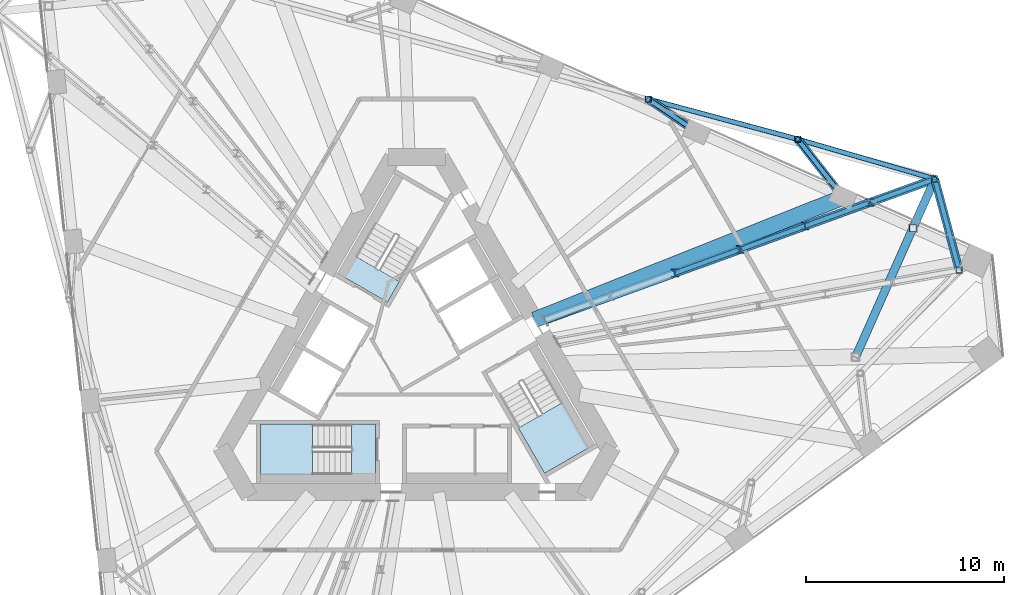
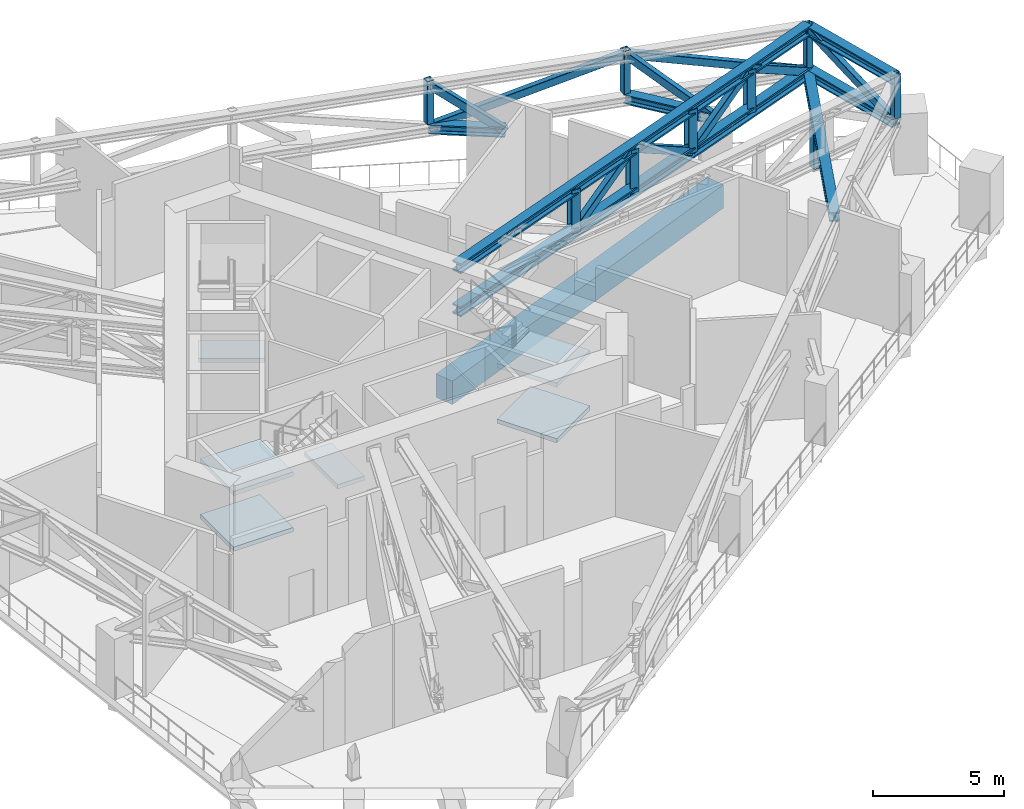
# One storey, part 15 of 26: 25 members, 6 slabs, 1 beam, 3 elements without a shape of their own.
"""IFC4 building model written with IfcOpenShell, lengths in metres."""

from ifc_helpers import new_model, si_unit, direction, frame, origin, origin_2d, place, context, subcontext, project, spatial, polyline, rectangle, hollow_rectangle, i_section, outline, extrude, material, layer, layer_set, material_profile, profile_set, type_object, element, aggregate, save


model = new_model("IFC4")

# Units and contexts
model_context = context("Model", 3, precision=1e-05, world=origin(), true_north=direction((0.0, 1.0)))
body_context = subcontext(model_context, "Body", "Model", "MODEL_VIEW")
ifc_project = project(units=[si_unit("LENGTHUNIT", "METRE"), si_unit("AREAUNIT", "SQUARE_METRE"), si_unit("VOLUMEUNIT", "CUBIC_METRE"), si_unit("PLANEANGLEUNIT", "RADIAN"), si_unit("MASSUNIT", "GRAM", prefix="KILO")], contexts=[model_context])

# Site, building, storey
site_placement = place(None, origin())
site = spatial("IfcSite", under=ifc_project, at=site_placement, CompositionType="ELEMENT")
building_placement = place(site_placement, origin())
building = spatial("IfcBuilding", under=site, at=building_placement, Name="Tramontana Tower", CompositionType="ELEMENT")
storey_placement = place(building_placement, frame((0.0, 0.0, 194.800048828125)))
storey = spatial("IfcBuildingStorey", under=building, at=storey_placement, Name="L45", CompositionType="ELEMENT", Elevation=194.800048828125)

# Members
ifc_material_1 = material(Name="Steel ASTM A500 Grade C", Category="steel")
ifc_material_profile_1 = material_profile(ifc_material_1, hollow_rectangle(XDim=0.3046875, YDim=0.3046875, WallThickness=0.01171875, InnerFilletRadius=0.01171875, OuterFilletRadius=0.023681640625, at=origin_2d()), Name="HSS12X12X1/2")
ifc_profile_set_1 = profile_set([ifc_material_profile_1], Name="Steel ASTM A500 Grade C")
member_type_1 = type_object("IfcMemberType", Name="Belt truss HSS12X12X1/2 post", PredefinedType="POST", material=ifc_profile_set_1)
for number, where, z_axis, x_axis, name in (
    (1, (27.352783203125, 4.86669921875, 2.8349609375), (0.0, 0.0, 1.0), (1.0, 0.0, 0.0), "Belt truss post C5K4"),
    (2, (26.12158203125, 9.461669921875, 2.8349609375), (0.0, 0.0, 1.0), (1.0, 0.0, 0.0), "Belt truss post C5K5"),
    (3, (19.211181640625, 11.468505859375, 2.8349609375), (0.0, 0.0, 1.0), (1.0, 0.0, 0.0), "Belt truss post C5F11"),
    (4, (11.6826171875, 13.48583984375, 2.8349609375), (0.0, 0.0, 1.0), (1.0, 0.0, 0.0), "Belt truss post C5F12"),
):
    element("IfcMember", number, at=place(storey_placement, frame(where, z_axis=z_axis, x_axis=x_axis)), inside=storey, type_object=member_type_1, Name=name, PredefinedType="POST", context=body_context, shape_type="SweptSolid", body=[
        extrude(hollow_rectangle(XDim=0.3046875, YDim=0.3046875, WallThickness=0.01171875, InnerFilletRadius=0.01171875, OuterFilletRadius=0.023681640625, at=origin_2d()), origin(), (0.0, 0.0, 1.0), 2.014892578125),
    ])
ifc_material_2 = material(Name="Steel ASTM A500 Grade C", Category="steel")
ifc_material_profile_2 = material_profile(ifc_material_2, hollow_rectangle(XDim=0.25390625, YDim=0.355712890625, WallThickness=0.01171875, InnerFilletRadius=0.01171875, OuterFilletRadius=0.023681640625, at=origin_2d()), Name="HSS14X10X1/2")
ifc_profile_set_2 = profile_set([ifc_material_profile_2], Name="Steel ASTM A500 Grade C")
member_type_2 = type_object("IfcMemberType", Name="Belt truss HSS14X10X1/2 brace", PredefinedType="BRACE", material=ifc_profile_set_2)
member_1_placement = place(storey_placement, frame((26.12158203125, 9.461669921875, 2.617431640625), z_axis=(-0.924748225656, 0.268554333683, 0.269665142362), x_axis=(-0.278885896454, -0.960324245637, 0.0)))
element("IfcMember", 5, at=member_1_placement, inside=storey, type_object=member_type_2, Name="Belt truss diagonal S2.1", PredefinedType="BRACE", context=body_context, shape_type="SweptSolid", body=[
    extrude(hollow_rectangle(XDim=0.25390625, YDim=0.355712890625, WallThickness=0.01171875, InnerFilletRadius=0.01171875, OuterFilletRadius=0.023681640625, at=origin_2d()), origin(), (0.0, 0.0, 1.0), 7.47265625),
])
member_2_placement = place(storey_placement, frame((19.211181640625, 11.468505859375, 4.632568359375), z_axis=(-0.935173482445, 0.250586583826, -0.250313646726), x_axis=(-0.258826373416, -0.965923862644, 0.0)))
element("IfcMember", 6, at=member_2_placement, inside=storey, type_object=member_type_2, Name="Belt truss diagonal S2.2", PredefinedType="BRACE", context=body_context, shape_type="SweptSolid", body=[
    extrude(hollow_rectangle(XDim=0.25390625, YDim=0.355712890625, WallThickness=0.01171875, InnerFilletRadius=0.01171875, OuterFilletRadius=0.023681640625, at=origin_2d()), origin(), (0.0, 0.0, 1.0), 8.050537109375),
])
member_3_placement = place(storey_placement, frame((27.352783203125, 4.86669921875, 2.617431640625), z_axis=(-0.238315108312, 0.889416746686, 0.390056098355), x_axis=(-0.965926746877, -0.258815609399, 0.0)))
element("IfcMember", 7, at=member_3_placement, inside=storey, type_object=member_type_2, Name="Belt truss diagonal K2.1", PredefinedType="BRACE", context=body_context, shape_type="SweptSolid", body=[
    extrude(hollow_rectangle(XDim=0.25390625, YDim=0.355712890625, WallThickness=0.01171875, InnerFilletRadius=0.01171875, OuterFilletRadius=0.023681640625, at=origin_2d()), origin(), (0.0, 0.0, 1.0), 5.166259765625),
])
ifc_material_3 = material(Name="Steel ASTM A992 Grade 50", Category="steel")
ifc_material_profile_3 = material_profile(ifc_material_3, i_section(OverallWidth=0.412841796875, OverallDepth=0.43505859375, WebThickness=0.03662109375, FlangeThickness=0.05712890625, FilletRadius=0.01513671875, at=origin_2d()), Name="W14X311")
ifc_profile_set_3 = profile_set([ifc_material_profile_3], Name="Steel ASTM A992 Grade 50")
member_type_3 = type_object("IfcMemberType", Name="Belt truss W14X311 chord", PredefinedType="CHORD", material=ifc_profile_set_3)
for number, where, z_axis, x_axis, name in (
    (8, (27.352783203125, 4.86669921875, 2.617431640625), (-0.258815609399, 0.965926746877, 0.0), (-0.965926746877, -0.258815609399, 0.0), "Belt truss bottom chord K2"),
    (9, (27.352783203125, 4.86669921875, 4.632568359375), (-0.258815609399, 0.965926746877, 0.0), (-0.965926746877, -0.258815609399, 0.0), "Belt truss top chord K2"),
):
    element("IfcMember", number, at=place(storey_placement, frame(where, z_axis=z_axis, x_axis=x_axis)), inside=storey, type_object=member_type_3, Name=name, PredefinedType="CHORD", context=body_context, shape_type="SweptSolid", body=[
        extrude(i_section(OverallWidth=0.412841796875, OverallDepth=0.43505859375, WebThickness=0.03662109375, FlangeThickness=0.05712890625, FilletRadius=0.01513671875, at=origin_2d()), origin(), (0.0, 0.0, 1.0), 4.757080078125),
    ])

# Beam
ifc_material_4 = material(Name="Concrete 40 MPa", Category="concrete")
ifc_material_profile_4 = material_profile(ifc_material_4, rectangle(XDim=0.800048828125, YDim=1.10009765625, at=origin_2d()), Name="RC GIRDER 800X1100 40 MPa")
ifc_profile_set_4 = profile_set([ifc_material_profile_4], Name="Concrete 40 MPa")
beam_type = type_object("IfcBeamType", Name="RC GIRDER 800X1100 40 MPa", PredefinedType="BEAM", material=ifc_profile_set_4)
beam_placement = place(storey_placement, frame((21.499755859375, 8.5439453125, -0.900146484375), z_axis=(-0.929307244414, -0.369307521558, 0.0), x_axis=(0.369307521558, -0.929307244414, 0.0)))
element("IfcBeam", 10, at=beam_placement, inside=storey, type_object=beam_type, Name="Radial girder C4F11 L45", PredefinedType="BEAM", context=body_context, shape_type="SweptSolid", body=[
    extrude(rectangle(XDim=0.800048828125, YDim=1.10009765625, at=origin_2d()), origin(), (0.0, 0.0, 1.0), 16.738525390625),
])

# Members
ifc_material_5 = material(Name="Steel ASTM A500 Grade C", Category="steel")
ifc_material_profile_5 = material_profile(ifc_material_5, hollow_rectangle(XDim=0.25390625, YDim=0.355712890625, WallThickness=0.01171875, InnerFilletRadius=0.01171875, OuterFilletRadius=0.023681640625, at=origin_2d()), Name="HSS14X10X1/2")
ifc_profile_set_5 = profile_set([ifc_material_profile_5], Name="Steel ASTM A500 Grade C")
member_type_4 = type_object("IfcMemberType", Name="Transfer truss HSS14X10X1/2 brace", PredefinedType="BRACE", material=ifc_profile_set_5)
member_4_placement = place(storey_placement, frame((21.499755859375, 8.5439453125, 2.617431640625), z_axis=(-0.541662577523, 0.692188608507, 0.476945051725), x_axis=(-0.787532746283, -0.616272807718, 0.0)))
element("IfcMember", 11, at=member_4_placement, inside=storey, type_object=member_type_4, Name="Transfer truss strut C5F11 diagonal", PredefinedType="BRACE", context=body_context, shape_type="SweptSolid", body=[
    extrude(hollow_rectangle(XDim=0.25390625, YDim=0.355712890625, WallThickness=0.01171875, InnerFilletRadius=0.01171875, OuterFilletRadius=0.023681640625, at=origin_2d()), origin(), (0.0, 0.0, 1.0), 4.22509765625),
])
member_5_placement = place(storey_placement, frame((14.115478515625, 11.83154296875, 2.617431640625), z_axis=(-0.68223998762, 0.463909498857, 0.565098731341), x_axis=(-0.562298672357, -0.82693421931, 0.0)))
element("IfcMember", 12, at=member_5_placement, inside=storey, type_object=member_type_4, Name="Transfer truss strut C5F12 diagonal", PredefinedType="BRACE", context=body_context, shape_type="SweptSolid", body=[
    extrude(hollow_rectangle(XDim=0.25390625, YDim=0.355712890625, WallThickness=0.01171875, InnerFilletRadius=0.01171875, OuterFilletRadius=0.023681640625, at=origin_2d()), origin(), (0.0, 0.0, 1.0), 3.56591796875),
])
for number, where, z_axis, x_axis, name in (
    (13, (13.027587890625, 4.723876953125, 2.617431640625), (0.813845319497, 0.294426403526, 0.500967951908), (-0.340194137881, 0.940355224663, 0.0), "Transfer truss diagonal 4.3"),
    (14, (16.30126953125, 5.908203125, 4.632568359375), (0.813810278793, 0.294496380721, -0.50098374412), (-0.340278586983, 0.940324669059, 0.0), "Transfer truss diagonal 4.4"),
):
    element("IfcMember", number, at=place(storey_placement, frame(where, z_axis=z_axis, x_axis=x_axis)), inside=storey, type_object=member_type_4, Name=name, PredefinedType="BRACE", context=body_context, shape_type="SweptSolid", body=[
        extrude(hollow_rectangle(XDim=0.25390625, YDim=0.355712890625, WallThickness=0.01171875, InnerFilletRadius=0.01171875, OuterFilletRadius=0.023681640625, at=origin_2d()), origin(), (0.0, 0.0, 1.0), 4.0224609375),
    ])
member_6_placement = place(storey_placement, frame((19.57470703125, 7.0927734375, 2.617431640625), z_axis=(0.813824824311, 0.2944409474, 0.500992698379), x_axis=(-0.340216573656, 0.940347107727, 0.0)))
element("IfcMember", 15, at=member_6_placement, inside=storey, type_object=member_type_4, Name="Transfer truss diagonal 4.5", PredefinedType="BRACE", context=body_context, shape_type="SweptSolid", body=[
    extrude(hollow_rectangle(XDim=0.25390625, YDim=0.355712890625, WallThickness=0.01171875, InnerFilletRadius=0.01171875, OuterFilletRadius=0.023681640625, at=origin_2d()), origin(), (0.0, 0.0, 1.0), 4.022216796875),
])
member_7_placement = place(storey_placement, frame((22.84814453125, 8.277099609375, 4.632568359375), z_axis=(0.813810278793, 0.294496380721, -0.50098374412), x_axis=(-0.340278586983, 0.940324669059, 0.0)))
element("IfcMember", 16, at=member_7_placement, inside=storey, type_object=member_type_4, Name="Transfer truss diagonal 4.6", PredefinedType="BRACE", context=body_context, shape_type="SweptSolid", body=[
    extrude(hollow_rectangle(XDim=0.25390625, YDim=0.355712890625, WallThickness=0.01171875, InnerFilletRadius=0.01171875, OuterFilletRadius=0.023681640625, at=origin_2d()), origin(), (0.0, 0.0, 1.0), 4.0224609375),
])
ifc_material_6 = material(Name="Steel ASTM A500 Grade C", Category="steel")
ifc_material_profile_6 = material_profile(ifc_material_6, hollow_rectangle(XDim=0.355712890625, YDim=0.355712890625, WallThickness=0.01171875, InnerFilletRadius=0.01171875, OuterFilletRadius=0.023681640625, at=origin_2d()), Name="HSS14X14X1/2")
ifc_profile_set_6 = profile_set([ifc_material_profile_6], Name="Steel ASTM A500 Grade C")
member_type_5 = type_object("IfcMemberType", Name="Transfer truss HSS14X14X1/2 post", PredefinedType="POST", material=ifc_profile_set_6)
member_8_placement = place(storey_placement, frame((25.01611328125, 6.978515625, 0.0400390625), z_axis=(0.0, 0.0, 1.0), x_axis=(1.0, 0.0, 0.0)))
element("IfcMember", 17, at=member_8_placement, inside=storey, type_object=member_type_5, Name="Transfer truss post C5K5.1", PredefinedType="POST", context=body_context, shape_type="SweptSolid", body=[
    extrude(hollow_rectangle(XDim=0.355712890625, YDim=0.355712890625, WallThickness=0.01171875, InnerFilletRadius=0.01171875, OuterFilletRadius=0.023681640625, at=origin_2d()), origin(), (0.0, 0.0, 1.0), 2.35986328125),
])
ifc_material_7 = material(Name="Steel ASTM A992 Grade 50", Category="steel")
ifc_material_profile_7 = material_profile(ifc_material_7, i_section(OverallWidth=0.374755859375, OverallDepth=0.37158203125, WebThickness=0.015869140625, FlangeThickness=0.025390625, FilletRadius=0.01513671875, at=origin_2d()), Name="W14X132")
ifc_profile_set_7 = profile_set([ifc_material_profile_7], Name="Steel ASTM A992 Grade 50")
member_type_6 = type_object("IfcMemberType", Name="Transfer truss W14X132 post", PredefinedType="POST", material=ifc_profile_set_7)
for number, where, z_axis, x_axis, name in (
    (18, (13.027587890625, 4.723876953125, 2.617431640625), (0.0, 0.0, 1.0), (1.0, 0.0, 0.0), "Transfer truss post 4.2"),
    (19, (16.30126953125, 5.908203125, 2.617431640625), (0.0, 0.0, 1.0), (1.0, 0.0, 0.0), "Transfer truss post 4.3"),
    (20, (19.57470703125, 7.0927734375, 2.617431640625), (0.0, 0.0, 1.0), (1.0, 0.0, 0.0), "Transfer truss post 4.4"),
    (21, (22.84814453125, 8.277099609375, 2.617431640625), (0.0, 0.0, 1.0), (1.0, 0.0, 0.0), "Transfer truss post 4.5"),
):
    element("IfcMember", number, at=place(storey_placement, frame(where, z_axis=z_axis, x_axis=x_axis)), inside=storey, type_object=member_type_6, Name=name, PredefinedType="POST", context=body_context, shape_type="SweptSolid", body=[
        extrude(i_section(OverallWidth=0.374755859375, OverallDepth=0.37158203125, WebThickness=0.015869140625, FlangeThickness=0.025390625, FilletRadius=0.01513671875, at=origin_2d()), origin(), (0.0, 0.0, 1.0), 2.01513671875),
    ])
ifc_material_8 = material(Name="Steel ASTM A992 Grade 50", Category="steel")
ifc_material_profile_8 = material_profile(ifc_material_8, i_section(OverallWidth=0.412841796875, OverallDepth=0.43505859375, WebThickness=0.03662109375, FlangeThickness=0.05712890625, FilletRadius=0.01513671875, at=origin_2d()), Name="W14X311")
ifc_profile_set_8 = profile_set([ifc_material_profile_8], Name="Steel ASTM A992 Grade 50")
member_type_7 = type_object("IfcMemberType", Name="Transfer truss W14X311 chord", PredefinedType="CHORD", material=ifc_profile_set_8)
member_9_placement = place(storey_placement, frame((26.12158203125, 9.461669921875, 2.617431640625), z_axis=(-0.406733881612, -0.913546687121, 0.0), x_axis=(0.913546687121, -0.406733881612, 0.0)))
element("IfcMember", 22, at=member_9_placement, inside=storey, type_object=member_type_7, Name="Transfer truss girder C5K5", PredefinedType="CHORD", context=body_context, shape_type="SweptSolid", body=[
    extrude(i_section(OverallWidth=0.412841796875, OverallDepth=0.43505859375, WebThickness=0.03662109375, FlangeThickness=0.05712890625, FilletRadius=0.01513671875, at=origin_2d()), origin(), (0.0, 0.0, 1.0), 9.81396484375),
])
ifc_material_9 = material(Name="Steel ASTM A992 Grade 50", Category="steel")
ifc_material_profile_9 = material_profile(ifc_material_9, i_section(OverallWidth=0.412841796875, OverallDepth=0.43505859375, WebThickness=0.03662109375, FlangeThickness=0.05712890625, FilletRadius=0.01513671875, at=origin_2d()), Name="W14X311")
ifc_profile_set_9 = profile_set([ifc_material_profile_9], Name="Steel ASTM A992 Grade 50")
member_type_8 = type_object("IfcMemberType", Name="Transfer truss W14X311 strut", PredefinedType="STRUT", material=ifc_profile_set_9)
member_10_placement = place(storey_placement, frame((21.499755859375, 8.5439453125, 2.617431640625), z_axis=(-0.616272807718, 0.787532746283, 0.0), x_axis=(-0.787532746283, -0.616272807718, 0.0)))
element("IfcMember", 23, at=member_10_placement, inside=storey, type_object=member_type_8, Name="Transfer truss strut C5F11 bottom", PredefinedType="STRUT", context=body_context, shape_type="SweptSolid", body=[
    extrude(i_section(OverallWidth=0.412841796875, OverallDepth=0.43505859375, WebThickness=0.03662109375, FlangeThickness=0.05712890625, FilletRadius=0.01513671875, at=origin_2d()), origin(), (0.0, 0.0, 1.0), 3.713623046875),
])
member_11_placement = place(storey_placement, frame((14.115478515625, 11.83154296875, 2.617431640625), z_axis=(-0.82693421931, 0.562298672357, 0.0), x_axis=(-0.562298672357, -0.82693421931, 0.0)))
element("IfcMember", 24, at=member_11_placement, inside=storey, type_object=member_type_8, Name="Transfer truss strut C5F12 bottom", PredefinedType="STRUT", context=body_context, shape_type="SweptSolid", body=[
    extrude(i_section(OverallWidth=0.412841796875, OverallDepth=0.43505859375, WebThickness=0.03662109375, FlangeThickness=0.05712890625, FilletRadius=0.01513671875, at=origin_2d()), origin(), (0.0, 0.0, 1.0), 2.942138671875),
])
ifc_material_10 = material(Name="Steel ASTM A992 Grade 50", Category="steel")
ifc_material_profile_10 = material_profile(ifc_material_10, i_section(OverallWidth=0.42236328125, OverallDepth=0.463623046875, WebThickness=0.04443359375, FlangeThickness=0.072998046875, FilletRadius=0.014892578125, at=origin_2d()), Name="W14X398")
ifc_profile_set_10 = profile_set([ifc_material_profile_10], Name="Steel ASTM A992 Grade 50")
member_type_9 = type_object("IfcMemberType", Name="Transfer truss W14X398 chord", PredefinedType="CHORD", material=ifc_profile_set_10)
for number, where, z_axis, x_axis, name in (
    (25, (6.480712890625, 2.35498046875, 2.617431640625), (0.940337241935, 0.340243841135, 0.0), (-0.340243841135, 0.940337241935, 0.0), "Transfer truss bottom chord 4"),
    (26, (6.480712890625, 2.35498046875, 4.632568359375), (0.940337241935, 0.340243841135, 0.0), (-0.340243841135, 0.940337241935, 0.0), "Transfer truss top chord 4"),
):
    element("IfcMember", number, at=place(storey_placement, frame(where, z_axis=z_axis, x_axis=x_axis)), inside=storey, type_object=member_type_9, Name=name, PredefinedType="CHORD", context=body_context, shape_type="SweptSolid", body=[
        extrude(i_section(OverallWidth=0.42236328125, OverallDepth=0.463623046875, WebThickness=0.04443359375, FlangeThickness=0.072998046875, FilletRadius=0.014892578125, at=origin_2d()), origin(), (0.0, 0.0, 1.0), 20.886962890625),
    ])

# Stair, slab
ifc_material_11 = material(Name="Concrete 40 MPa", Category="concrete")
stair_type = type_object("IfcStairType", Name="EXIT STAIR 32 RISERS", PredefinedType="HALF_TURN_STAIR", material=ifc_material_11)
stair_1_placement = place(storey_placement, origin())
stair_1 = element("IfcStair", 27, at=stair_1_placement, inside=storey, type_object=stair_type, Name="L45 Exit stair ST1", PredefinedType="HALF_TURN_STAIR")
ifc_material_12 = material(Name="Concrete 40 MPa", Category="concrete")
ifc_layer = layer(ifc_material_12, 0.199951171875)
ifc_layer_set = layer_set([ifc_layer], Name="STAIR LANDING 200")
slab_type = type_object("IfcSlabType", Name="STAIR LANDING 200", PredefinedType="LANDING", material=ifc_layer_set)
slab_1_placement = place(storey_placement, frame((0.0, 0.0, 2.39990234375)))
slab_1 = element("IfcSlab", 28, at=slab_1_placement, type_object=slab_type, Name="ST1 landing 2", PredefinedType="LANDING", context=body_context, shape_type="SweptSolid", body=[
    extrude(outline(polyline([(-1.471435546875, 3.251220703125), (-0.87158203125, 4.29052734375), (-3.079833984375, 5.565673828125), (-3.679931640625, 4.5263671875), (-1.471435546875, 3.251220703125)])), origin(), (0.0, 0.0, 1.0), 0.199951171875),
])
aggregate(stair_1, [slab_1])

# Stair, slabs
stair_2_placement = place(storey_placement, origin())
stair_2 = element("IfcStair", 29, at=stair_2_placement, inside=storey, type_object=stair_type, Name="L45 Exit stair ST2", PredefinedType="HALF_TURN_STAIR")
slab_2_placement = place(storey_placement, frame((0.0, 0.0, 1.099853515625)))
slab_2 = element("IfcSlab", 30, at=slab_2_placement, type_object=slab_type, Name="ST2 landing 1", PredefinedType="LANDING", context=body_context, shape_type="SweptSolid", body=[
    extrude(outline(polyline([(-5.239990234375, -2.89990234375), (-7.8798828125, -2.89990234375), (-7.8798828125, -5.449951171875), (-5.239990234375, -5.449951171875), (-5.239990234375, -2.89990234375)])), origin(), (0.0, 0.0, 1.0), 0.2001953125),
])
slab_3_placement = place(storey_placement, frame((0.0, 0.0, 2.39990234375)))
slab_3 = element("IfcSlab", 31, at=slab_3_placement, type_object=slab_type, Name="ST2 landing 2", PredefinedType="LANDING", context=body_context, shape_type="SweptSolid", body=[
    extrude(outline(polyline([(-2.080078125, -2.89990234375), (-3.280029296875, -2.89990234375), (-3.280029296875, -5.449951171875), (-2.080078125, -5.449951171875), (-2.080078125, -2.89990234375)])), origin(), (0.0, 0.0, 1.0), 0.199951171875),
])
slab_4_placement = place(storey_placement, frame((0.0, 0.0, 3.699951171875)))
slab_4 = element("IfcSlab", 32, at=slab_4_placement, type_object=slab_type, Name="ST2 landing 3", PredefinedType="LANDING", context=body_context, shape_type="SweptSolid", body=[
    extrude(outline(polyline([(-5.239990234375, -2.89990234375), (-7.8798828125, -2.89990234375), (-7.8798828125, -5.449951171875), (-5.239990234375, -5.449951171875), (-5.239990234375, -2.89990234375)])), origin(), (0.0, 0.0, 1.0), 0.199951171875),
])
aggregate(stair_2, [slab_2, slab_3, slab_4])

stair_3_placement = place(storey_placement, origin())
stair_3 = element("IfcStair", 33, at=stair_3_placement, inside=storey, type_object=stair_type, Name="L45 Exit stair ST3", PredefinedType="HALF_TURN_STAIR")
slab_5_placement = place(storey_placement, frame((0.0, 0.0, 1.099853515625)))
slab_5 = element("IfcSlab", 34, at=slab_5_placement, type_object=slab_type, Name="ST3 landing 1", PredefinedType="LANDING", context=body_context, shape_type="SweptSolid", body=[
    extrude(outline(polyline([(5.131591796875, -3.087890625), (6.451416015625, -5.374267578125), (8.659912109375, -4.099365234375), (7.33984375, -1.81298828125), (5.131591796875, -3.087890625)])), origin(), (0.0, 0.0, 1.0), 0.2001953125),
])
slab_6_placement = place(storey_placement, frame((0.0, 0.0, 3.699951171875)))
slab_6 = element("IfcSlab", 35, at=slab_6_placement, type_object=slab_type, Name="ST3 landing 3", PredefinedType="LANDING", context=body_context, shape_type="SweptSolid", body=[
    extrude(outline(polyline([(5.131591796875, -3.087890625), (6.451416015625, -5.374267578125), (8.659912109375, -4.099365234375), (7.33984375, -1.81298828125), (5.131591796875, -3.087890625)])), origin(), (0.0, 0.0, 1.0), 0.199951171875),
])
aggregate(stair_3, [slab_5, slab_6])

save(model, "model.ifc")
